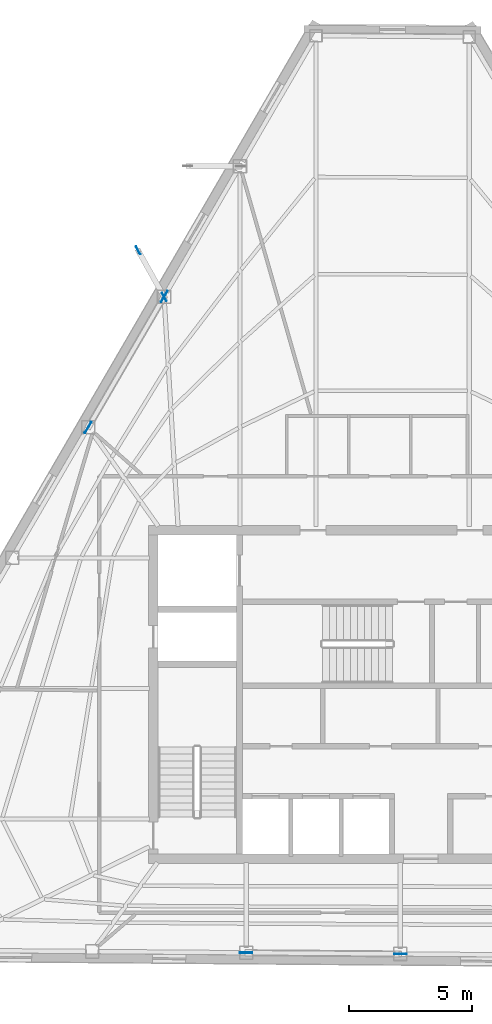
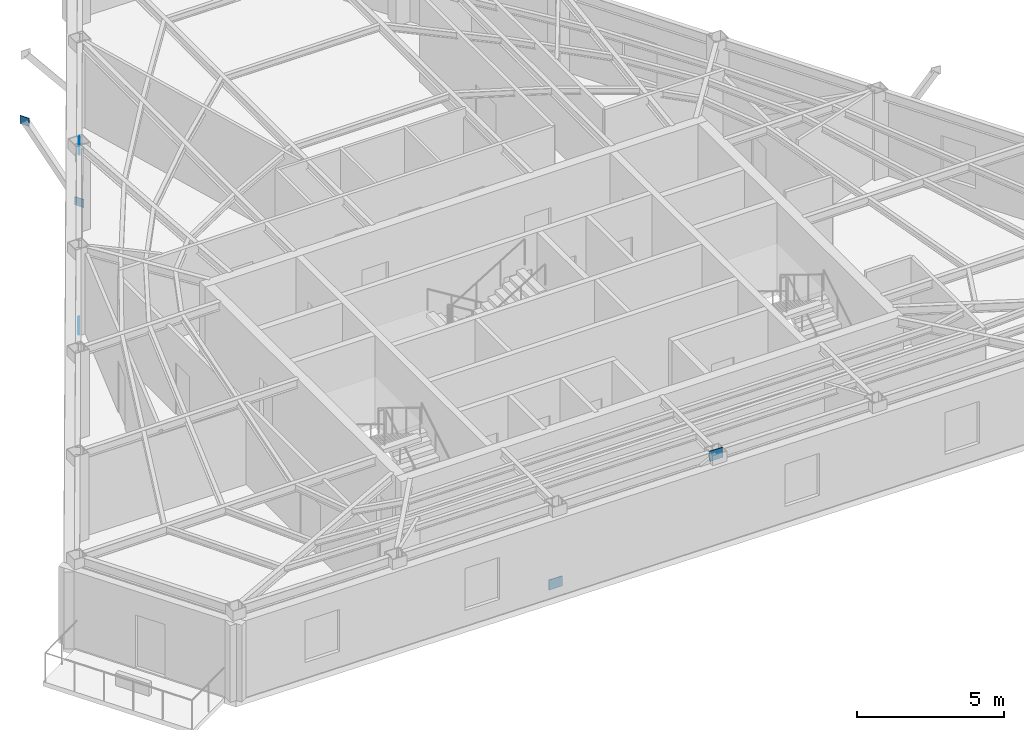
# One storey, part 4 of 10: 6 plates.
"""IFC4 building model written with IfcOpenShell, lengths in metres."""

from ifc_helpers import new_model, si_unit, direction, frame, origin, origin_2d, place, context, subcontext, project, spatial, rectangle, extrude, material, layer, layer_set, type_object, element, save


model = new_model("IFC4")

# Units and contexts
model_context = context("Model", 3, precision=1e-05, world=origin(), true_north=direction((0.0, 1.0)))
body_context = subcontext(model_context, "Body", "Model", "MODEL_VIEW")
ifc_project = project(units=[si_unit("LENGTHUNIT", "METRE"), si_unit("AREAUNIT", "SQUARE_METRE"), si_unit("VOLUMEUNIT", "CUBIC_METRE"), si_unit("PLANEANGLEUNIT", "RADIAN"), si_unit("MASSUNIT", "GRAM", prefix="KILO")], contexts=[model_context])

# Site, building, storey
site_placement = place(None, origin())
site = spatial("IfcSite", under=ifc_project, at=site_placement, CompositionType="ELEMENT")
building_placement = place(site_placement, origin())
building = spatial("IfcBuilding", under=site, at=building_placement, Name="Kavelnor Concourse Tower", CompositionType="ELEMENT")
storey_placement = place(building_placement, frame((0.0, 0.0, 266.449951171875)))
storey = spatial("IfcBuildingStorey", under=building, at=storey_placement, Name="L67", CompositionType="ELEMENT", Elevation=266.449951171875)

# Plates
ifc_material = material(Name="Steel Grade 350", Category="steel")
ifc_layer_1 = layer(ifc_material, 0.028076171875, Name="Steel Grade 350")
ifc_layer_set_1 = layer_set([ifc_layer_1], Name="Steel Grade 350")
plate_type_1 = type_object("IfcPlateType", Name="PL-GUSSET-FOLD", PredefinedType="USERDEFINED", material=ifc_layer_set_1)
for number, where, z_axis, x_axis, name in (
    (1, (28.742919921875, 32.289794921875, 0.8798828125), (0.0, 0.0, 1.0), (-0.488621241497, 0.872496007073, 0.0), "L67 Balcony Strut Gusset GP4 2-B End Gusset A"),
    (2, (27.6806640625, 34.186279296875, 3.48486328125), (0.0, 0.0, 1.0), (-0.488621241497, 0.872496007073, 0.0), "L67 Balcony Strut Gusset GP4 2-B End Gusset B"),
):
    element("IfcPlate", number, at=place(storey_placement, frame(where, z_axis=z_axis, x_axis=x_axis)), inside=storey, type_object=plate_type_1, Name=name, ObjectType="GUSSET_PLATE", PredefinedType="USERDEFINED", context=body_context, shape_type="SweptSolid", body=[
        extrude(rectangle(XDim=0.360107421875, YDim=0.028076171875, at=origin_2d()), origin(), (0.0, 0.0, 1.0), 0.340087890625),
    ])
ifc_layer_2 = layer(ifc_material, 0.031982421875, Name="Steel Grade 350")
ifc_layer_set_2 = layer_set([ifc_layer_2], Name="Steel Grade 350")
plate_type_2 = type_object("IfcPlateType", Name="PL-GUSSET-TUBE-Z1", PredefinedType="USERDEFINED", material=ifc_layer_set_2)
for number, where, z_axis, x_axis, name in (
    (3, (25.638916015625, 26.97119140625, 0.010009765625), (0.0, 0.0, 1.0), (0.50256734447, 0.864538064097, 0.0), "L67 Tube Brace Gusset GP3 F0-B2 End Gusset A"),
    (4, (28.742919921875, 32.310791015625, 3.197021484375), (0.0, 0.0, 1.0), (0.50256734447, 0.864538064097, 0.0), "L67 Tube Brace Gusset GP3 F0-B2 End Gusset B"),
    (5, (32.072265625, 5.576904296875, 0.010009765625), (0.0, 0.0, 1.0), (0.99996777165, -0.00802842831, 0.0), "L67 Tube Brace Gusset GP3 F1-B2 End Gusset A"),
    (6, (38.37060546875, 5.526611328125, 3.197021484375), (0.0, 0.0, 1.0), (0.99996777165, -0.00802842831, 0.0), "L67 Tube Brace Gusset GP3 F1-B2 End Gusset B"),
):
    element("IfcPlate", number, at=place(storey_placement, frame(where, z_axis=z_axis, x_axis=x_axis)), inside=storey, type_object=plate_type_2, Name=name, ObjectType="GUSSET_PLATE", PredefinedType="USERDEFINED", context=body_context, shape_type="SweptSolid", body=[
        extrude(rectangle(XDim=0.52001953125, YDim=0.031982421875, at=origin_2d()), origin(), (0.0, 0.0, 1.0), 0.419921875),
    ])

save(model, "model.ifc")
